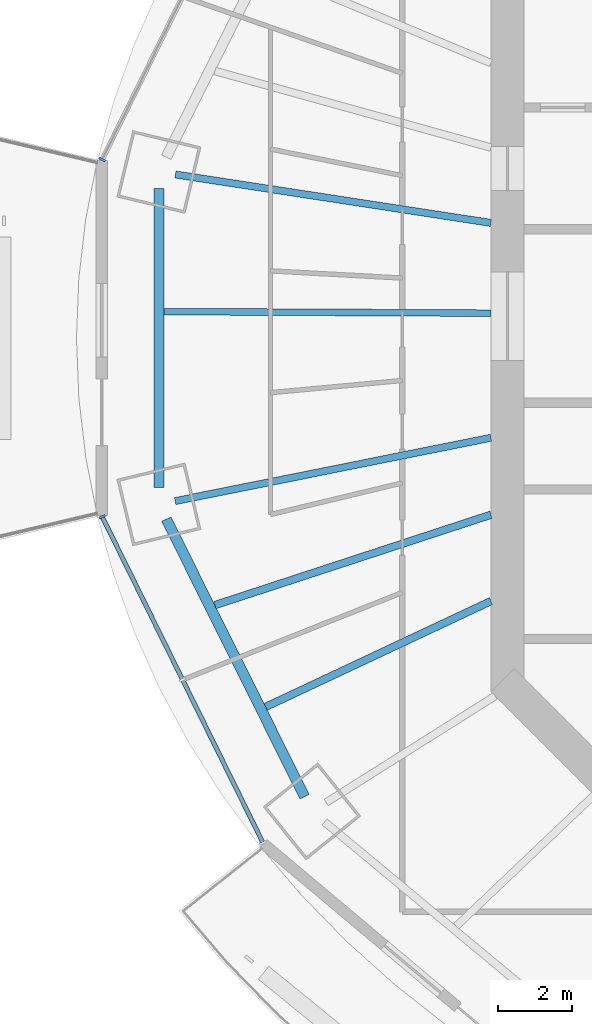
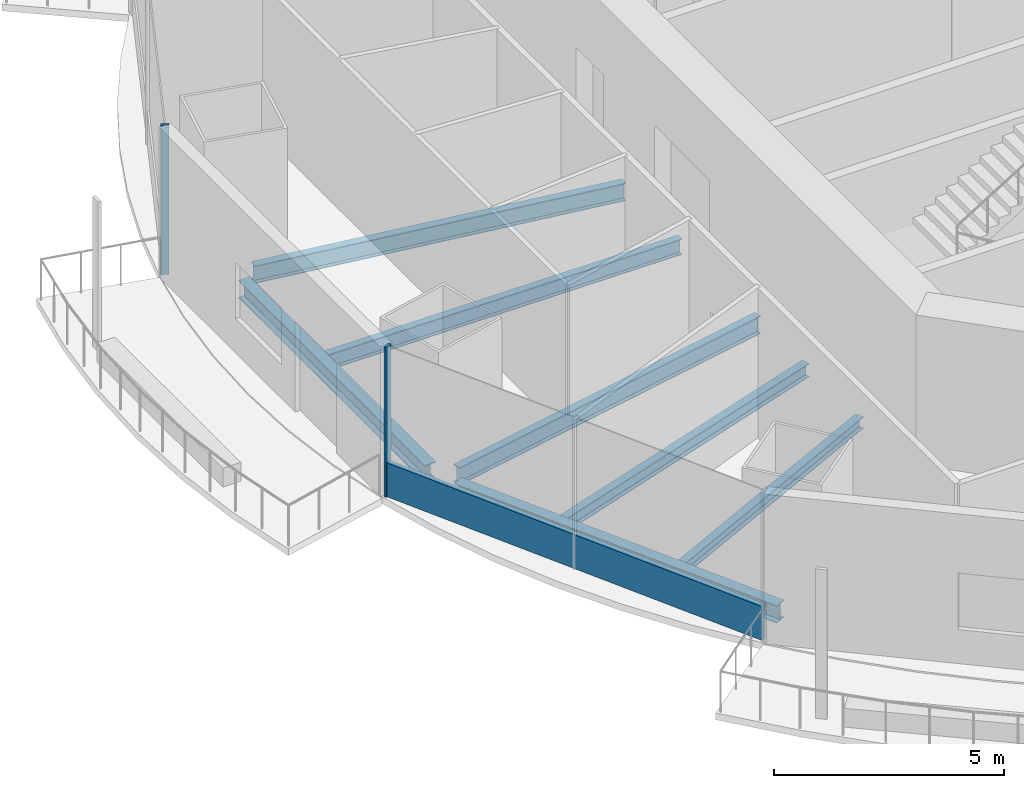
# One storey, part 3 of 18: 7 beams, 3 members, 2 elements without a shape of their own.
"""IFC4 building model written with IfcOpenShell, lengths in metres."""

import ifcopenshell
import ifcopenshell.guid

model = None  # the IFC model being written
_history = None  # IfcOwnerHistory: only IFC2X3 demands one
_inside = {}  # id of a spatial element -> (the spatial element, [elements in it])
_under = {}  # id of a project, library or spatial element -> (it, [spatial elements below it])
_declared = {}  # id of a project -> (the project, [libraries it declares])
_typed = {}  # id of a type object -> (the type object, [elements of that type])
_made_of = {}  # id of a material, layer set ... -> (it, [elements and type objects made of it])


def new_model(schema):
    """Start an empty IFC model of exactly this schema.

    Asked for "IFC4X3", IfcOpenShell would pick the latest addendum, in which some entities
    have other attributes; the version numbers below select the first issue.
    IFC2X3 requires an IfcOwnerHistory on every rooted entity: one is made here for all.
    """
    global model, _history
    if schema == "IFC4X3":
        model = ifcopenshell.file(schema_version=(4, 3, 0, 0))
    else:
        model = ifcopenshell.file(schema=schema)
    _inside.clear()
    _under.clear()
    _declared.clear()
    _typed.clear()
    _made_of.clear()
    _history = None
    if model.schema == "IFC2X3":
        org = make("IfcOrganization", Name="unknown")
        user = make(
            "IfcPersonAndOrganization",
            ThePerson=make("IfcPerson", FamilyName="unknown"),
            TheOrganization=org,
        )
        app = make(
            "IfcApplication",
            ApplicationDeveloper=org,
            Version="unknown",
            ApplicationFullName="unknown",
            ApplicationIdentifier="unknown",
        )
        _history = make(
            "IfcOwnerHistory",
            OwningUser=user,
            OwningApplication=app,
            ChangeAction="ADDED",
            CreationDate=0,
        )
    return model


def make(cls, **values):
    """One entity of the class cls with the attributes given. An attribute that is None is left unset."""
    return model.create_entity(
        cls, **{name: value for name, value in values.items() if value is not None}
    )


def rooted(cls, **values):
    """An entity with a GlobalId (a new one), such as an element, a storey or a relation."""
    return make(cls, GlobalId=ifcopenshell.guid.new(), OwnerHistory=_history, **values)


def si_unit(unit_type, name, prefix=None):
    """IfcSIUnit, for example si_unit("LENGTHUNIT", "METRE", prefix="MILLI")."""
    return make("IfcSIUnit", UnitType=unit_type, Prefix=prefix, Name=name)


def assignment(units):
    """IfcUnitAssignment: the units of a project."""
    return None if units is None else make("IfcUnitAssignment", Units=units)


def point(xyz):
    """IfcCartesianPoint."""
    return None if xyz is None else make("IfcCartesianPoint", Coordinates=xyz)


def direction(xyz):
    """IfcDirection."""
    return None if xyz is None else make("IfcDirection", DirectionRatios=xyz)


def frame(location, z_axis=None, x_axis=None):
    """IfcAxis2Placement3D, a coordinate frame: its origin and axes. An axis left out is left unset."""
    return make(
        "IfcAxis2Placement3D",
        Location=point(location),
        Axis=direction(z_axis),
        RefDirection=direction(x_axis),
    )


def frame_2d(location, x_axis=None):
    """IfcAxis2Placement2D, a coordinate frame in the plane: its origin and x axis."""
    return make(
        "IfcAxis2Placement2D", Location=point(location), RefDirection=direction(x_axis)
    )


def origin():
    """The frame at (0, 0, 0) with its axes left unset."""
    return frame((0.0, 0.0, 0.0))


def origin_2d():
    """The frame at (0, 0) in the plane with its x axis left unset."""
    return frame_2d((0.0, 0.0))


def place(relative_to, where):
    """IfcLocalPlacement: puts the frame where relative to a parent placement (None: the world)."""
    return make(
        "IfcLocalPlacement", PlacementRelTo=relative_to, RelativePlacement=where
    )


def context(
    kind, dimensions, precision=None, world=None, true_north=None, identifier=None
):
    """IfcGeometricRepresentationContext, for example the 3D "Model" context."""
    return make(
        "IfcGeometricRepresentationContext",
        ContextIdentifier=identifier,
        ContextType=kind,
        CoordinateSpaceDimension=dimensions,
        Precision=precision,
        WorldCoordinateSystem=world,
        TrueNorth=true_north,
    )


def subcontext(parent, identifier, kind, view, scale=None):
    """IfcGeometricRepresentationSubContext, for example "Body" below "Model"."""
    return make(
        "IfcGeometricRepresentationSubContext",
        ContextIdentifier=identifier,
        ContextType=kind,
        ParentContext=parent,
        TargetScale=scale,
        TargetView=view,
    )


def project(units=None, contexts=None):
    """IfcProject with its units and contexts."""
    return rooted(
        "IfcProject",
        Name="project",
        RepresentationContexts=contexts,
        UnitsInContext=assignment(units),
    )


def spatial(cls, under=None, at=None, **own):
    """A site, building, storey or space (cls), placed at a placement, below another one or the project."""
    s = rooted(cls, ObjectPlacement=at, **own)
    if under is not None:
        _under.setdefault(under.id(), (under, []))[1].append(s)
    return s


def profile(cls, at=None, kind="AREA", **sizes):
    """A parametric profile (cls). Its sizes go by their IFC names, for example OverallWidth=200.0."""
    return make(cls, ProfileType=kind, Position=at, **sizes)


def rectangle(**sizes):
    """IfcRectangleProfileDef."""
    return profile("IfcRectangleProfileDef", **sizes)


def i_section(**sizes):
    """IfcIShapeProfileDef."""
    return profile("IfcIShapeProfileDef", **sizes)


def extrude(swept, where, along, depth):
    """IfcExtrudedAreaSolid: the profile swept, set in the frame where, extruded along a direction by depth."""
    return make(
        "IfcExtrudedAreaSolid",
        SweptArea=swept,
        Position=where,
        ExtrudedDirection=direction(along),
        Depth=depth,
    )


def shape(context_of_items, identifier, shape_type, items):
    """IfcShapeRepresentation: the items that make up one representation, for example the "Body"."""
    return make(
        "IfcShapeRepresentation",
        ContextOfItems=context_of_items,
        RepresentationIdentifier=identifier,
        RepresentationType=shape_type,
        Items=items,
    )


def material(Name=None, Category=None):
    """IfcMaterial."""
    return make("IfcMaterial", Name=Name, Category=Category)


def material_profile(
    of_material, cross_section, Name=None, Category=None, Priority=None
):
    """IfcMaterialProfile: a cross section and its material."""
    return make(
        "IfcMaterialProfile",
        Name=Name,
        Material=of_material,
        Profile=cross_section,
        Priority=Priority,
        Category=Category,
    )


def profile_set(profiles, Name=None, composite=None):
    """IfcMaterialProfileSet."""
    return make(
        "IfcMaterialProfileSet",
        Name=Name,
        MaterialProfiles=profiles,
        CompositeProfile=composite,
    )


def made_of(thing, what):
    """Note that an element or type object is made of a material, layer set ...; save() writes the relation."""
    if what is not None:
        _made_of.setdefault(what.id(), (what, []))[1].append(thing)
    return thing


def type_object(cls, material=None, **own):
    """A type object (cls), such as IfcWallType, which elements share."""
    return made_of(rooted(cls, **own), material)


def element(
    cls,
    number,
    at=None,
    inside=None,
    cuts=None,
    type_object=None,
    material=None,
    context=None,
    identifier="Body",
    shape_type=None,
    held_by="IfcProductDefinitionShape",
    body=None,
    shapes=None,
    **own,
):
    """One element of the class cls, such as IfcWall. Its Tag is "e" and its number.

    at: its placement. inside: the storey or other place that contains it. cuts: it is an
    opening in that element (IfcRelVoidsElement). A single representation is given by context,
    identifier, shape_type and body (its items); several are given by shapes. held_by: the class
    of the entity that holds the representations. save() writes the other relations.
    """
    e = rooted(cls, Tag="e%d" % number, ObjectPlacement=at, **own)
    if body is not None:
        shapes = [shape(context, identifier, shape_type, body)]
    if shapes is not None:
        e.Representation = make(held_by, Representations=shapes)
    if inside is not None:
        _inside.setdefault(inside.id(), (inside, []))[1].append(e)
    if cuts is not None:
        rooted(
            "IfcRelVoidsElement", RelatingBuildingElement=cuts, RelatedOpeningElement=e
        )
    if type_object is not None:
        _typed.setdefault(type_object.id(), (type_object, []))[1].append(e)
    return made_of(e, material)


def aggregate(whole, parts):
    """IfcRelAggregates: a whole, such as a stair, and the parts it consists of."""
    return rooted("IfcRelAggregates", RelatingObject=whole, RelatedObjects=parts)


def save(model, path):
    """Write the relations noted so far, then the file.

    IfcRelAggregates (storeys below a building ...), IfcRelContainedInSpatialStructure (elements
    in a storey), IfcRelDefinesByType, IfcRelAssociatesMaterial and IfcRelDeclares: one each for
    every whole, place, type object, material and project.
    """
    for whole, parts in _under.values():
        aggregate(whole, parts)
    for where, things in _inside.values():
        rooted(
            "IfcRelContainedInSpatialStructure",
            RelatedElements=things,
            RelatingStructure=where,
        )
    for kind, things in _typed.values():
        rooted("IfcRelDefinesByType", RelatedObjects=things, RelatingType=kind)
    for what, things in _made_of.values():
        rooted("IfcRelAssociatesMaterial", RelatedObjects=things, RelatingMaterial=what)
    for by, libraries in _declared.values():
        rooted("IfcRelDeclares", RelatingContext=by, RelatedDefinitions=libraries)
    model.write(path)


model = new_model("IFC4")

# Units and contexts
model_context = context("Model", 3, precision=1e-05, world=origin(), true_north=direction((0.0, 1.0)))
body_context = subcontext(model_context, "Body", "Model", "MODEL_VIEW")
ifc_project = project(units=[si_unit("LENGTHUNIT", "METRE"), si_unit("AREAUNIT", "SQUARE_METRE"), si_unit("VOLUMEUNIT", "CUBIC_METRE"), si_unit("PLANEANGLEUNIT", "RADIAN"), si_unit("MASSUNIT", "GRAM", prefix="KILO")], contexts=[model_context])

# Site, building, storey
site_placement = place(None, origin())
site = spatial("IfcSite", under=ifc_project, at=site_placement, CompositionType="ELEMENT")
building_placement = place(site_placement, origin())
building = spatial("IfcBuilding", under=site, at=building_placement, Name="Marenthal Gate Tower", CompositionType="ELEMENT")
storey_placement = place(building_placement, frame((0.0, 0.0, 264.800048828125)))
storey = spatial("IfcBuildingStorey", under=building, at=storey_placement, Name="L59", CompositionType="ELEMENT", Elevation=264.800048828125)

# Curtain wall, member
ifc_material_1 = material(Name="Aluminium and glass", Category="aluminium")
curtain_wall_type = type_object("IfcCurtainWallType", Name="Curtain wall typical mid", PredefinedType="NOTDEFINED", material=ifc_material_1)
curtain_wall_1_placement = place(storey_placement, origin())
curtain_wall_1 = element("IfcCurtainWall", 1, at=curtain_wall_1_placement, inside=storey, type_object=curtain_wall_type, Name="Curtain wall L59 bay 7", PredefinedType="NOTDEFINED")
ifc_material_2 = material(Name="Aluminium", Category="aluminium")
ifc_material_profile_1 = material_profile(ifc_material_2, rectangle(XDim=0.179931640625, YDim=0.06005859375, at=origin_2d()), Name="60x180 aluminium mullion")
ifc_profile_set_1 = profile_set([ifc_material_profile_1], Name="Aluminium")
member_type_1 = type_object("IfcMemberType", Name="Mullion 60x180 typical mid", PredefinedType="MULLION", material=ifc_profile_set_1)
member_1_placement = place(storey_placement, frame((-26.983642578125, 4.2392578125, 0.0), z_axis=(0.0, 0.0, 1.0), x_axis=(0.896920632002, -0.442191564697, 0.0)))
member_1 = element("IfcMember", 2, at=member_1_placement, type_object=member_type_1, Name="Mullion L59 bay 7.3", PredefinedType="MULLION", context=body_context, shape_type="SweptSolid", body=[
    extrude(rectangle(XDim=0.179931640625, YDim=0.06005859375, at=origin_2d()), origin(), (0.0, 0.0, 1.0), 3.969970703125),
])
aggregate(curtain_wall_1, [member_1])

# Curtain wall, members
curtain_wall_2_placement = place(storey_placement, origin())
curtain_wall_2 = element("IfcCurtainWall", 3, at=curtain_wall_2_placement, inside=storey, type_object=curtain_wall_type, Name="Curtain wall L59 bay 9", PredefinedType="NOTDEFINED")
member_2_placement = place(storey_placement, frame((-26.983642578125, -5.439453125, 0.0), z_axis=(0.0, 0.0, 1.0), x_axis=(0.896920632002, 0.442191564697, 0.0)))
member_2 = element("IfcMember", 4, at=member_2_placement, type_object=member_type_1, Name="Mullion L59 bay 9.1", PredefinedType="MULLION", context=body_context, shape_type="SweptSolid", body=[
    extrude(rectangle(XDim=0.179931640625, YDim=0.06005859375, at=origin_2d()), origin(), (0.0, 0.0, 1.0), 3.969970703125),
])
ifc_material_3 = material(Name="Aluminium", Category="aluminium")
ifc_material_profile_2 = material_profile(ifc_material_3, rectangle(XDim=0.1201171875, YDim=0.89990234375, at=origin_2d()), Name="120x900 aluminium transom")
ifc_profile_set_2 = profile_set([ifc_material_profile_2], Name="Aluminium")
member_type_2 = type_object("IfcMemberType", Name="Transom 120x900 typical mid", PredefinedType="USERDEFINED", material=ifc_profile_set_2)
member_3_placement = place(storey_placement, frame((-26.97021484375, -5.46630859375, 0.449951171875), z_axis=(0.442181240155, -0.896925722039, 0.0), x_axis=(0.896925722039, 0.442181240155, 0.0)))
member_3 = element("IfcMember", 5, at=member_3_placement, type_object=member_type_2, Name="Transom L59 bay 9", ObjectType="TRANSOM", PredefinedType="USERDEFINED", context=body_context, shape_type="SweptSolid", body=[
    extrude(rectangle(XDim=0.1201171875, YDim=0.89990234375, at=origin_2d()), origin(), (0.0, 0.0, 1.0), 9.794189453125),
])
aggregate(curtain_wall_2, [member_2, member_3])

# Beams
ifc_material_4 = material(Name="Steel S355", Category="steel")
ifc_material_profile_3 = material_profile(ifc_material_4, i_section(OverallWidth=0.205078125, OverallDepth=0.31005859375, WebThickness=0.009521484375, FlangeThickness=0.016357421875, FilletRadius=0.0126953125, at=origin_2d()), Name="W310X74")
ifc_profile_set_3 = profile_set([ifc_material_profile_3], Name="Steel S355")
beam_type_1 = type_object("IfcBeamType", Name="W310X74 beam", PredefinedType="BEAM", material=ifc_profile_set_3)
beam_1_placement = place(storey_placement, frame((-22.555419921875, -10.593505859375, -0.3349609375), z_axis=(0.905131794083, 0.425131080186, 0.0), x_axis=(-0.425131080186, 0.905131794083, 0.0)))
element("IfcBeam", 6, at=beam_1_placement, inside=storey, type_object=beam_type_1, Name="BM-L59-30", PredefinedType="BEAM", context=body_context, shape_type="SweptSolid", body=[
    extrude(i_section(OverallWidth=0.205078125, OverallDepth=0.31005859375, WebThickness=0.009521484375, FlangeThickness=0.016357421875, FilletRadius=0.0126953125, at=origin_2d()), origin(), (0.0, 0.0, 1.0), 6.745361328125),
])
ifc_material_5 = material(Name="Steel S355", Category="steel")
ifc_material_profile_4 = material_profile(ifc_material_5, i_section(OverallWidth=0.205078125, OverallDepth=0.35302734375, WebThickness=0.009521484375, FlangeThickness=0.016845703125, FilletRadius=0.014892578125, at=origin_2d()), Name="W360X79")
ifc_profile_set_4 = profile_set([ifc_material_profile_4], Name="Steel S355")
beam_type_2 = type_object("IfcBeamType", Name="W360X79 beam", PredefinedType="BEAM", material=ifc_profile_set_4)
beam_2_placement = place(storey_placement, frame((-23.930419921875, -7.834716796875, -0.3564453125), z_axis=(0.950357111355, 0.311161310089, 0.0), x_axis=(-0.311161310089, 0.950357111355, 0.0)))
element("IfcBeam", 7, at=beam_2_placement, inside=storey, type_object=beam_type_2, Name="BM-L59-29", PredefinedType="BEAM", context=body_context, shape_type="SweptSolid", body=[
    extrude(i_section(OverallWidth=0.205078125, OverallDepth=0.35302734375, WebThickness=0.009521484375, FlangeThickness=0.016845703125, FilletRadius=0.014892578125, at=origin_2d()), origin(), (0.0, 0.0, 1.0), 7.871337890625),
])
ifc_material_6 = material(Name="Steel S355", Category="steel")
ifc_material_profile_5 = material_profile(ifc_material_6, i_section(OverallWidth=0.180908203125, OverallDepth=0.4169921875, WebThickness=0.010986328125, FlangeThickness=0.018310546875, FilletRadius=0.01025390625, at=origin_2d()), Name="W410X85")
ifc_profile_set_5 = profile_set([ifc_material_profile_5], Name="Steel S355")
beam_type_3 = type_object("IfcBeamType", Name="W410X85 beam", PredefinedType="BEAM", material=ifc_profile_set_5)
beam_3_placement = place(storey_placement, frame((-25.3076171875, 0.1201171875, -0.388427734375), z_axis=(0.99998863168, -0.004768281836, 0.0), x_axis=(0.004768281836, 0.99998863168, 0.0)))
element("IfcBeam", 8, at=beam_3_placement, inside=storey, type_object=beam_type_3, Name="BM-L59-28", PredefinedType="BEAM", context=body_context, shape_type="SweptSolid", body=[
    extrude(i_section(OverallWidth=0.180908203125, OverallDepth=0.4169921875, WebThickness=0.010986328125, FlangeThickness=0.018310546875, FilletRadius=0.01025390625, at=origin_2d()), origin(), (0.0, 0.0, 1.0), 8.857666015625),
])
ifc_material_7 = material(Name="Steel S355", Category="steel")
ifc_material_profile_6 = material_profile(ifc_material_7, i_section(OverallWidth=0.279052734375, OverallDepth=0.4619140625, WebThickness=0.0107421875, FlangeThickness=0.017333984375, FilletRadius=0.010009765625, at=origin_2d()), Name="W460X113")
ifc_profile_set_6 = profile_set([ifc_material_profile_6], Name="Steel S355")
beam_type_4 = type_object("IfcBeamType", Name="W460X113 beam", PredefinedType="BEAM", material=ifc_profile_set_6)
beam_4_placement = place(storey_placement, frame((-25.447265625, 3.453125, -0.4111328125), z_axis=(0.0, -1.0, 0.0), x_axis=(1.0, 0.0, 0.0)))
element("IfcBeam", 9, at=beam_4_placement, inside=storey, type_object=beam_type_4, Name="BM-L59-48", PredefinedType="BEAM", context=body_context, shape_type="SweptSolid", body=[
    extrude(i_section(OverallWidth=0.279052734375, OverallDepth=0.4619140625, WebThickness=0.0107421875, FlangeThickness=0.017333984375, FilletRadius=0.010009765625, at=origin_2d()), origin(), (0.0, 0.0, 1.0), 8.106201171875),
])
beam_5_placement = place(storey_placement, frame((-25.24658203125, -5.506591796875, -0.4111328125), z_axis=(0.446074295106, -0.894995934765, 0.0), x_axis=(0.894995934765, 0.446074295106, 0.0)))
element("IfcBeam", 10, at=beam_5_placement, inside=storey, type_object=beam_type_4, Name="BM-L59-49", PredefinedType="BEAM", context=body_context, shape_type="SweptSolid", body=[
    extrude(i_section(OverallWidth=0.279052734375, OverallDepth=0.4619140625, WebThickness=0.0107421875, FlangeThickness=0.017333984375, FilletRadius=0.010009765625, at=origin_2d()), origin(), (0.0, 0.0, 1.0), 8.40283203125),
])
ifc_material_8 = material(Name="Steel S355", Category="steel")
ifc_material_profile_7 = material_profile(ifc_material_8, i_section(OverallWidth=0.193115234375, OverallDepth=0.467041015625, WebThickness=0.011474609375, FlangeThickness=0.01904296875, FilletRadius=0.010009765625, at=origin_2d()), Name="W460X97")
ifc_profile_set_7 = profile_set([ifc_material_profile_7], Name="Steel S355")
beam_type_5 = type_object("IfcBeamType", Name="W460X97 beam", PredefinedType="BEAM", material=ifc_profile_set_7)
beam_6_placement = place(storey_placement, frame((-24.999267578125, 3.83544921875, -0.41357421875), z_axis=(0.988432639334, -0.151660533758, 0.0), x_axis=(0.151660533758, 0.988432639334, 0.0)))
element("IfcBeam", 11, at=beam_6_placement, inside=storey, type_object=beam_type_5, Name="BM-L59-08", PredefinedType="BEAM", context=body_context, shape_type="SweptSolid", body=[
    extrude(i_section(OverallWidth=0.193115234375, OverallDepth=0.467041015625, WebThickness=0.011474609375, FlangeThickness=0.01904296875, FilletRadius=0.010009765625, at=origin_2d()), origin(), (0.0, 0.0, 1.0), 8.6494140625),
])
beam_7_placement = place(storey_placement, frame((-25.00537109375, -5.015625, -0.41357421875), z_axis=(0.980470758039, 0.196664924757, 0.0), x_axis=(-0.196664924757, 0.980470758039, 0.0)))
element("IfcBeam", 12, at=beam_7_placement, inside=storey, type_object=beam_type_5, Name="BM-L59-09", PredefinedType="BEAM", context=body_context, shape_type="SweptSolid", body=[
    extrude(i_section(OverallWidth=0.193115234375, OverallDepth=0.467041015625, WebThickness=0.011474609375, FlangeThickness=0.01904296875, FilletRadius=0.010009765625, at=origin_2d()), origin(), (0.0, 0.0, 1.0), 8.725830078125),
])

save(model, "model.ifc")
